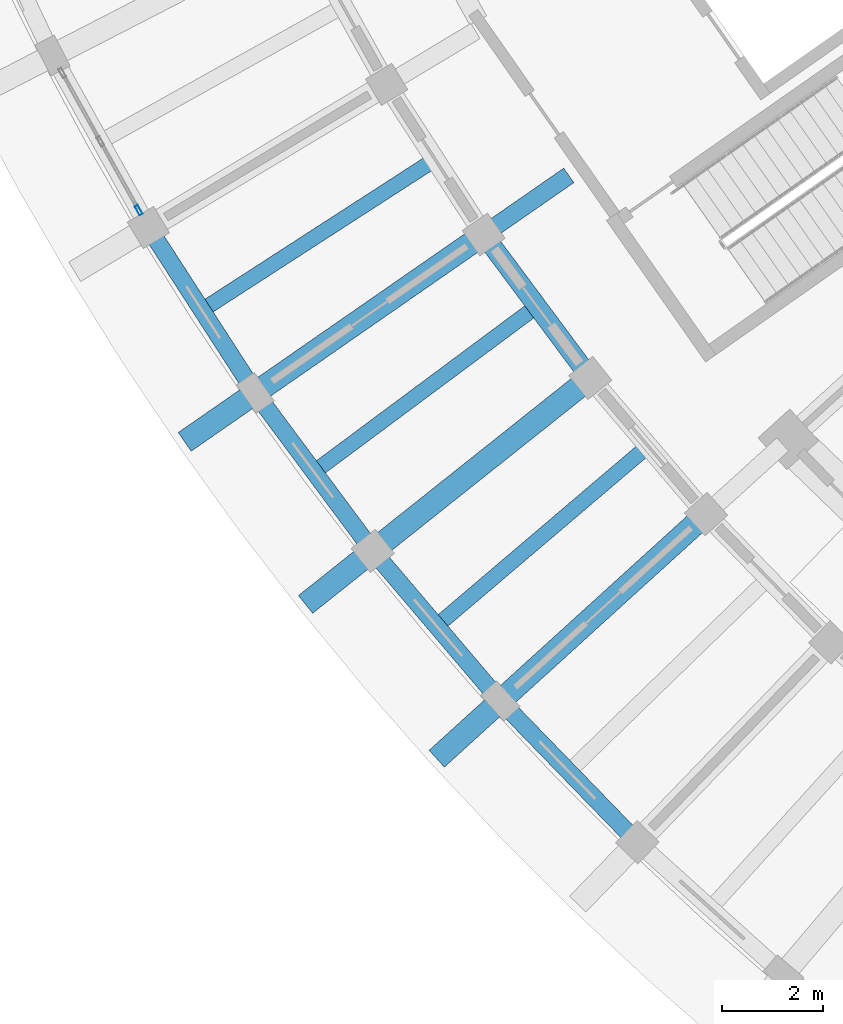
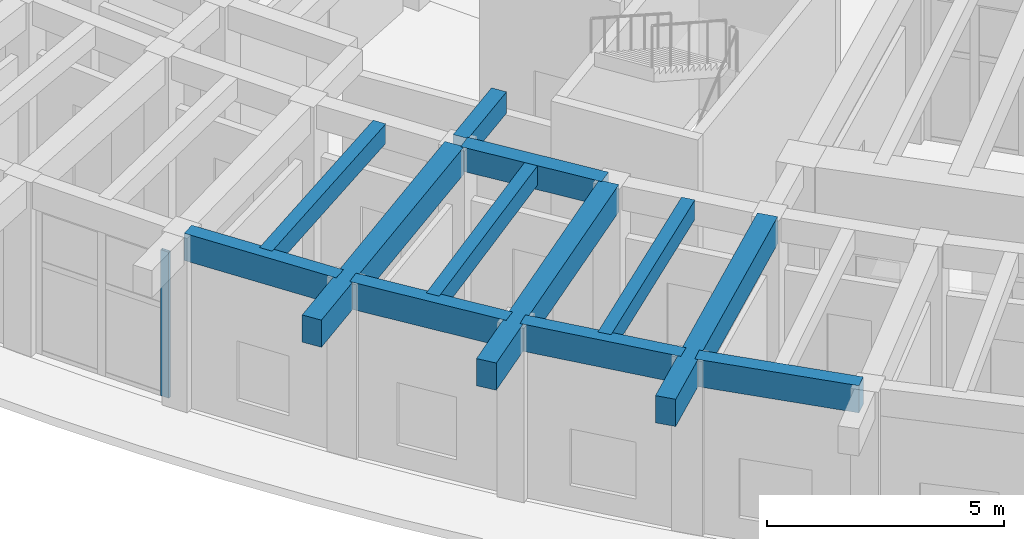
# One storey, part 7 of 132: 12 beams, 1 member, 1 element without a shape of its own.
"""IFC4 building model written with IfcOpenShell, lengths in metres."""

from ifc_helpers import new_model, si_unit, direction, frame, origin, origin_2d, place, context, subcontext, project, spatial, rectangle, hollow_rectangle, extrude, material, material_profile, profile_set, type_object, element, aggregate, save


model = new_model("IFC4")

# Units and contexts
model_context = context("Model", 3, precision=1e-05, world=origin(), true_north=direction((0.0, 1.0)))
body_context = subcontext(model_context, "Body", "Model", "MODEL_VIEW")
ifc_project = project(units=[si_unit("LENGTHUNIT", "METRE"), si_unit("AREAUNIT", "SQUARE_METRE"), si_unit("VOLUMEUNIT", "CUBIC_METRE"), si_unit("PLANEANGLEUNIT", "RADIAN"), si_unit("MASSUNIT", "GRAM", prefix="KILO")], contexts=[model_context])

# Site, building, storey
site_placement = place(None, origin())
site = spatial("IfcSite", under=ifc_project, at=site_placement, CompositionType="ELEMENT")
building_placement = place(site_placement, origin())
building = spatial("IfcBuilding", under=site, at=building_placement, Name="Tanwirah Colonnade Gardens", CompositionType="ELEMENT")
storey_placement = place(building_placement, origin())
storey = spatial("IfcBuildingStorey", under=building, at=storey_placement, Name="L00", CompositionType="ELEMENT", Elevation=0.0)

# Beams
ifc_material_1 = material(Name="Precast concrete C40/50", Category="concrete")
ifc_material_profile_1 = material_profile(ifc_material_1, rectangle(XDim=0.35009765625, YDim=0.550048828125, at=origin_2d()), Name="PC-BM 350x550")
ifc_profile_set_1 = profile_set([ifc_material_profile_1], Name="Precast concrete C40/50")
beam_type_1 = type_object("IfcBeamType", Name="BM-PC350A", PredefinedType="BEAM", material=ifc_profile_set_1)
beam_1_placement = place(storey_placement, frame((22.2744140625, 34.860107421875, 4.2099609375), z_axis=(-0.821669163201, -0.569964723684, 0.0), x_axis=(0.569964723684, -0.821669163201, 0.0)))
element("IfcBeam", 1, at=beam_1_placement, inside=storey, type_object=beam_type_1, Name="Block C L00 Corridor Tie Beam 5", PredefinedType="BEAM", context=body_context, shape_type="SweptSolid", body=[
    extrude(rectangle(XDim=0.35009765625, YDim=0.550048828125, at=origin_2d()), origin(), (0.0, 0.0, 1.0), 1.900146484375),
])
ifc_material_profile_2 = material_profile(ifc_material_1, rectangle(XDim=0.3798828125, YDim=0.6201171875, at=origin_2d()), Name="PC-BM 380x620")
ifc_profile_set_2 = profile_set([ifc_material_profile_2], Name="Precast concrete C40/50")
beam_type_2 = type_object("IfcBeamType", Name="BM-PC380", PredefinedType="BEAM", material=ifc_profile_set_2)
beam_2_placement = place(storey_placement, frame((20.679443359375, 33.5712890625, 4.175048828125), z_axis=(0.596579473879, -0.802554005252, 0.0), x_axis=(0.802554005252, 0.596579473879, 0.0)))
element("IfcBeam", 2, at=beam_2_placement, inside=storey, type_object=beam_type_2, Name="Block C L00 Circumferential Beam 5-R2", PredefinedType="BEAM", context=body_context, shape_type="SweptSolid", body=[
    extrude(rectangle(XDim=0.3798828125, YDim=0.6201171875, at=origin_2d()), origin(), (0.0, 0.0, 1.0), 3.237060546875),
])
ifc_material_2 = material(Name="Precast concrete C45/55", Category="concrete")
ifc_material_profile_3 = material_profile(ifc_material_2, rectangle(XDim=0.449951171875, YDim=0.699951171875, at=origin_2d()), Name="PC-BM 450x700")
ifc_profile_set_3 = profile_set([ifc_material_profile_3], Name="Precast concrete C45/55")
beam_type_3 = type_object("IfcBeamType", Name="BM-PC450", PredefinedType="BEAM", material=ifc_profile_set_3)
beam_3_placement = place(storey_placement, frame((20.466796875, 33.606201171875, 4.135009765625), z_axis=(-0.821647028495, -0.569996632066, 0.0), x_axis=(0.569996632066, -0.821647028495, 0.0)))
element("IfcBeam", 3, at=beam_3_placement, inside=storey, type_object=beam_type_3, Name="Block C L00 Outer Radial Precast Girder 5", PredefinedType="BEAM", context=body_context, shape_type="SweptSolid", body=[
    extrude(rectangle(XDim=0.449951171875, YDim=0.699951171875, at=origin_2d()), origin(), (0.0, 0.0, 1.0), 7.050048828125),
])
for number, where, z_axis, x_axis, name in (
    (4, (22.58251953125, 30.759765625, 4.135009765625), (-0.782609106384, -0.622513442911, 0.0), (0.622513442911, -0.782609106384, 0.0), "Block C L00 Outer Radial Precast Girder 6"),
    (5, (24.880126953125, 28.0576171875, 4.135009765625), (-0.740229899169, -0.672353847596, 0.0), (0.672353847596, -0.740229899169, 0.0), "Block C L00 Outer Radial Precast Girder 7"),
):
    element("IfcBeam", number, at=place(storey_placement, frame(where, z_axis=z_axis, x_axis=x_axis)), inside=storey, type_object=beam_type_3, Name=name, PredefinedType="BEAM", context=body_context, shape_type="SweptSolid", body=[
        extrude(rectangle(XDim=0.449951171875, YDim=0.699951171875, at=origin_2d()), origin(), (0.0, 0.0, 1.0), 7.0498046875),
    ])

# Curtain wall, member
ifc_material_3 = material(Name="Bronze-anodised aluminium and solar-control low-E glass", Category="aluminium")
curtain_wall_type = type_object("IfcCurtainWallType", Name="CW-LOB", PredefinedType="NOTDEFINED", material=ifc_material_3)
curtain_wall_placement = place(storey_placement, origin())
curtain_wall = element("IfcCurtainWall", 6, at=curtain_wall_placement, inside=storey, type_object=curtain_wall_type, Name="Curtain Wall CW-C-L00-OUT-03", PredefinedType="NOTDEFINED")
ifc_material_4 = material(Name="Bronze-anodised aluminium", Category="aluminium")
ifc_material_profile_4 = material_profile(ifc_material_4, hollow_rectangle(XDim=0.070068359375, YDim=0.199951171875, WallThickness=0.00390625, at=origin_2d()), Name="CW-MUL 70x200x4")
ifc_profile_set_4 = profile_set([ifc_material_profile_4], Name="Bronze-anodised aluminium")
member_type = type_object("IfcMemberType", Name="CWM-70x200", PredefinedType="MULLION", material=ifc_profile_set_4)
member_placement = place(storey_placement, frame((13.763427734375, 34.174560546875, 0.0), z_axis=(0.0, 0.0, 1.0), x_axis=(0.873560768318, 0.486715095364, 0.0)))
member = element("IfcMember", 7, at=member_placement, type_object=member_type, Name="CW-LOB mullion 3", PredefinedType="MULLION", context=body_context, shape_type="SweptSolid", body=[
    extrude(hollow_rectangle(XDim=0.070068359375, YDim=0.199951171875, WallThickness=0.00390625, at=origin_2d()), origin(), (0.0, 0.0, 1.0), 3.7548828125),
])
aggregate(curtain_wall, [member])

# Beams
ifc_material_profile_5 = material_profile(ifc_material_1, rectangle(XDim=0.300048828125, YDim=0.5, at=origin_2d()), Name="PC-JST 300x500")
ifc_profile_set_5 = profile_set([ifc_material_profile_5], Name="Precast concrete C40/50")
beam_type_4 = type_object("IfcBeamType", Name="JST-PC300", PredefinedType="JOIST", material=ifc_profile_set_5)
for number, where, z_axis, x_axis, name in (
    (8, (19.5048828125, 35.09619140625, 4.235107421875), (-0.839842770955, -0.542829733963, 0.0), (0.542829733963, -0.839842770955, 0.0), "Block C L00 Precast Floor Joist 4"),
    (9, (21.525390625, 32.18359375, 4.235107421875), (-0.802560347737, -0.596570941499, 0.0), (0.596570941499, -0.802560347737, 0.0), "Block C L00 Precast Floor Joist 5"),
    (10, (23.732177734375, 29.409423828125, 4.235107421875), (-0.761803021124, -0.647808734895, 0.0), (0.647808734895, -0.761803021124, 0.0), "Block C L00 Precast Floor Joist 6"),
):
    element("IfcBeam", number, at=place(storey_placement, frame(where, z_axis=z_axis, x_axis=x_axis)), inside=storey, type_object=beam_type_4, Name=name, PredefinedType="JOIST", context=body_context, shape_type="SweptSolid", body=[
        extrude(rectangle(XDim=0.300048828125, YDim=0.5, at=origin_2d()), origin(), (0.0, 0.0, 1.0), 5.260009765625),
    ])
ifc_material_profile_6 = material_profile(ifc_material_2, rectangle(XDim=0.340087890625, YDim=0.699951171875, at=origin_2d()), Name="PC-SP 340x700")
ifc_profile_set_6 = profile_set([ifc_material_profile_6], Name="Precast concrete C45/55")
beam_type_5 = type_object("IfcBeamType", Name="SP-PC340", PredefinedType="SPANDREL", material=ifc_profile_set_6)
for number, where, z_axis, x_axis, name in (
    (11, (14.037109375, 33.70361328125, 4.135009765625), (0.542786838894, -0.839870494495, 0.0), (0.839870494495, 0.542786838894, 0.0), "Block C L00 Circumferential Beam 4-R3"),
    (12, (16.160400390625, 30.436279296875, 4.135009765625), (0.596562665898, -0.802566499212, 0.0), (0.802566499212, 0.596562665898, 0.0), "Block C L00 Circumferential Beam 5-R3"),
):
    element("IfcBeam", number, at=place(storey_placement, frame(where, z_axis=z_axis, x_axis=x_axis)), inside=storey, type_object=beam_type_5, Name=name, PredefinedType="SPANDREL", context=body_context, shape_type="SweptSolid", body=[
        extrude(rectangle(XDim=0.340087890625, YDim=0.699951171875, at=origin_2d()), origin(), (0.0, 0.0, 1.0), 3.596923828125),
    ])
for number, where, z_axis, x_axis, name in (
    (13, (18.492919921875, 27.31494140625, 4.135009765625), (0.647784367984, -0.76182374116, 0.0), (0.76182374116, 0.647784367984, 0.0), "Block C L00 Circumferential Beam 6-R3"),
    (14, (21.0244140625, 24.352783203125, 4.135009765625), (0.696231699401, -0.717817122079, 0.0), (0.717817122079, 0.696231699401, 0.0), "Block C L00 Circumferential Beam 7-R3"),
):
    element("IfcBeam", number, at=place(storey_placement, frame(where, z_axis=z_axis, x_axis=x_axis)), inside=storey, type_object=beam_type_5, Name=name, PredefinedType="SPANDREL", context=body_context, shape_type="SweptSolid", body=[
        extrude(rectangle(XDim=0.340087890625, YDim=0.699951171875, at=origin_2d()), origin(), (0.0, 0.0, 1.0), 3.5966796875),
    ])

save(model, "model.ifc")
